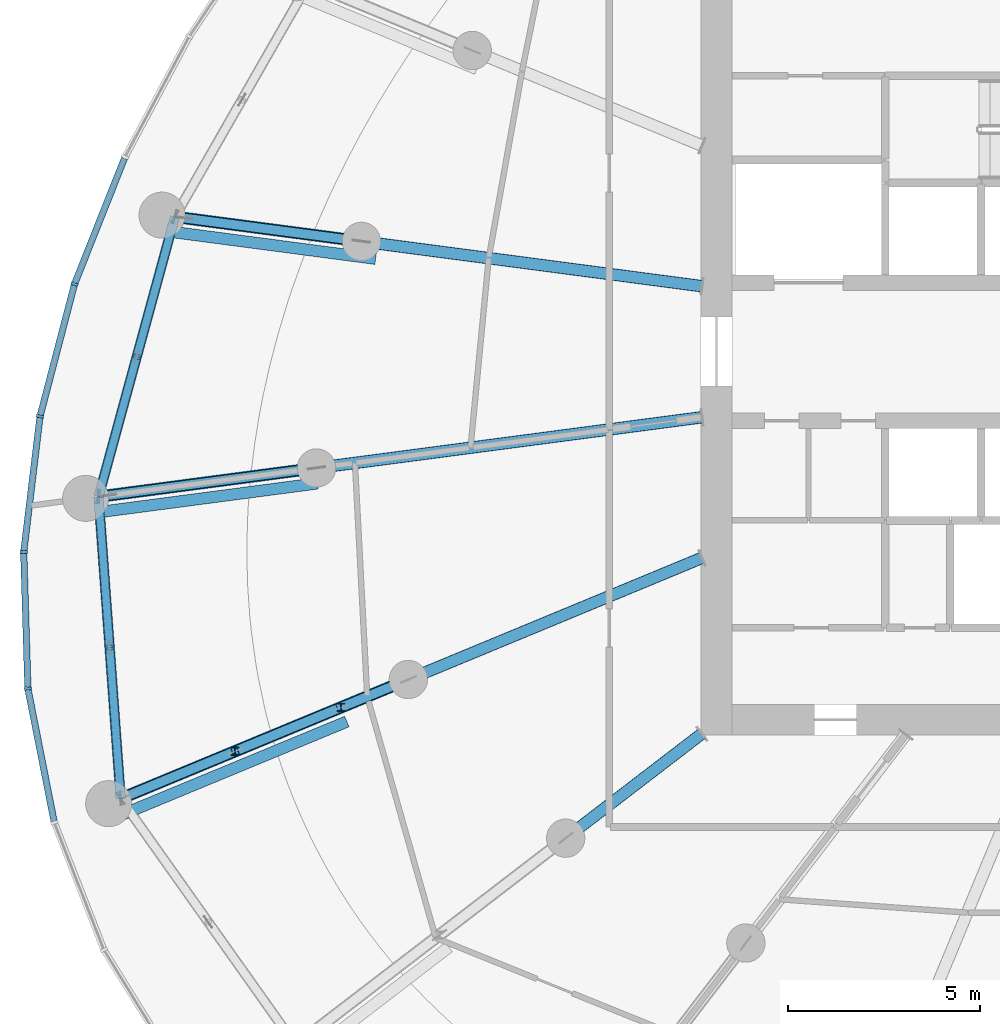
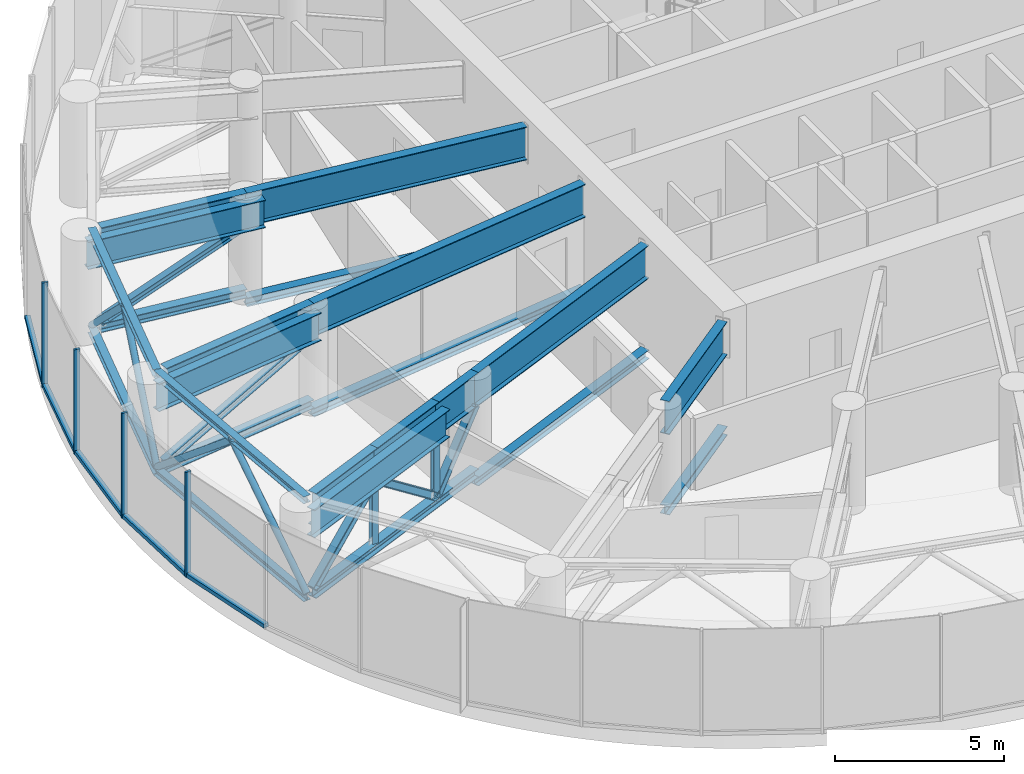
# One storey, part 4 of 33: 31 members, 12 beams, 1 element without a shape of its own.
"""IFC4 building model written with IfcOpenShell, lengths in metres."""

from ifc_helpers import new_model, si_unit, direction, frame, origin, origin_2d, place, context, subcontext, project, spatial, rectangle, hollow_circle, i_section, extrude, source, transform, mapped, material, layer, layer_set, material_profile, profile_set, type_object, element, aggregate, save


model = new_model("IFC4")

# Units and contexts
model_context = context("Model", 3, precision=1e-05, world=origin(), true_north=direction((0.0, 1.0)))
body_context = subcontext(model_context, "Body", "Model", "MODEL_VIEW")
ifc_project = project(units=[si_unit("LENGTHUNIT", "METRE"), si_unit("AREAUNIT", "SQUARE_METRE"), si_unit("VOLUMEUNIT", "CUBIC_METRE"), si_unit("PLANEANGLEUNIT", "RADIAN"), si_unit("MASSUNIT", "GRAM", prefix="KILO")], contexts=[model_context])

# Site, building, storey
site_placement = place(None, origin())
site = spatial("IfcSite", under=ifc_project, at=site_placement, CompositionType="ELEMENT")
building_placement = place(site_placement, origin())
building = spatial("IfcBuilding", under=site, at=building_placement, Name="Spindrift Exchange Tower", CompositionType="ELEMENT")
storey_placement = place(building_placement, frame((0.0, 0.0, 129.0)))
storey = spatial("IfcBuildingStorey", under=building, at=storey_placement, Name="L30", CompositionType="ELEMENT", Elevation=129.0)

# Beams
ifc_material_1 = material(Name="Steel Grade 300", Category="steel")
ifc_material_profile_1 = material_profile(ifc_material_1, i_section(OverallWidth=0.300048828125, OverallDepth=1.199951171875, WebThickness=0.011962890625, FlangeThickness=0.028076171875, at=origin_2d()), Name="1200WB249")
ifc_profile_set_1 = profile_set([ifc_material_profile_1], Name="Steel Grade 300")
beam_type_1 = type_object("IfcBeamType", Name="Outrigger Truss Transfer Girder 1200WB249 Steel Grade 300", PredefinedType="BEAM", material=ifc_profile_set_1)
shared_shape_1 = source(origin(), body_context, "Body", "SweptSolid", [
    extrude(i_section(OverallWidth=0.300048828125, OverallDepth=1.199951171875, WebThickness=0.011962890625, FlangeThickness=0.028076171875, at=origin_2d()), origin(), (0.0, 0.0, 1.0), 10.140380859375),
])
beam_1_placement = place(storey_placement, frame((39.019775390625, 46.291015625, 3.179931640625), z_axis=(-0.991446262895, -0.130515546167, 0.0), x_axis=(0.130515546167, -0.991446262895, 0.0)))
element("IfcBeam", 1, at=beam_1_placement, inside=storey, type_object=beam_type_1, Name="L30 outrigger truss 13 top chord 1", PredefinedType="BEAM", context=body_context, shape_type="MappedRepresentation", body=[
    mapped(shared_shape_1, transform((0.0, 0.0, 0.0), scale=1.0)),
])
shared_shape_2 = source(origin(), body_context, "Body", "SweptSolid", [
    extrude(i_section(OverallWidth=0.300048828125, OverallDepth=1.199951171875, WebThickness=0.011962890625, FlangeThickness=0.028076171875, at=origin_2d()), origin(), (0.0, 0.0, 1.0), 8.288818359375),
])
beam_2_placement = place(storey_placement, frame((39.0185546875, 42.622802734375, 3.179931640625), z_axis=(-0.923886163861, -0.382667422478, 0.0), x_axis=(0.382667422478, -0.923886163861, 0.0)))
element("IfcBeam", 2, at=beam_2_placement, inside=storey, type_object=beam_type_1, Name="L30 outrigger truss 14 top chord 1", PredefinedType="BEAM", context=body_context, shape_type="MappedRepresentation", body=[
    mapped(shared_shape_2, transform((0.0, 0.0, 0.0), scale=1.0)),
])
shared_shape_3 = source(origin(), body_context, "Body", "SweptSolid", [
    extrude(i_section(OverallWidth=0.300048828125, OverallDepth=1.199951171875, WebThickness=0.011962890625, FlangeThickness=0.028076171875, at=origin_2d()), origin(), (0.0, 0.0, 1.0), 4.4755859375),
])
beam_3_placement = place(storey_placement, frame((39.015869140625, 38.036865234375, 3.179931640625), z_axis=(-0.793379783148, -0.608726966457, 0.0), x_axis=(0.608726966457, -0.793379783148, 0.0)))
element("IfcBeam", 3, at=beam_3_placement, inside=storey, type_object=beam_type_1, Name="L30 outrigger truss 15 top chord 1", PredefinedType="BEAM", context=body_context, shape_type="MappedRepresentation", body=[
    mapped(shared_shape_3, transform((0.0, 0.0, 0.0), scale=1.0)),
])
shared_shape_4 = source(origin(), body_context, "Body", "SweptSolid", [
    extrude(i_section(OverallWidth=0.300048828125, OverallDepth=1.199951171875, WebThickness=0.011962890625, FlangeThickness=0.028076171875, at=origin_2d()), origin(), (0.0, 0.0, 1.0), 8.959716796875),
])
beam_4_placement = place(storey_placement, frame((39.019775390625, 49.708984375, 3.179931640625), z_axis=(-0.991445482422, 0.130521474806, 0.0), x_axis=(-0.130521474806, -0.991445482422, 0.0)))
element("IfcBeam", 4, at=beam_4_placement, inside=storey, type_object=beam_type_1, Name="L30 outrigger truss 12 top chord 1", PredefinedType="BEAM", context=body_context, shape_type="MappedRepresentation", body=[
    mapped(shared_shape_4, transform((0.0, 0.0, 0.0), scale=1.0)),
])

# Member
ifc_material_profile_2 = material_profile(ifc_material_1, i_section(OverallWidth=0.30908203125, OverallDepth=0.321044921875, WebThickness=0.013916015625, FlangeThickness=0.021728515625, FilletRadius=0.0166015625, at=origin_2d()), Name="310UC137")
ifc_profile_set_2 = profile_set([ifc_material_profile_2], Name="Steel Grade 300")
member_type_1 = type_object("IfcMemberType", Name="Outrigger Truss Chord 310UC137 Steel Grade 300", PredefinedType="CHORD", material=ifc_profile_set_2)
shared_shape_5 = source(origin(), body_context, "Body", "SweptSolid", [
    extrude(i_section(OverallWidth=0.30908203125, OverallDepth=0.321044921875, WebThickness=0.013916015625, FlangeThickness=0.021728515625, FilletRadius=0.0166015625, at=origin_2d()), origin(), (0.0, 0.0, 1.0), 10.140380859375),
])
member_1_placement = place(storey_placement, frame((39.019775390625, 46.291015625, -0.160400390625), z_axis=(-0.991446262895, -0.130515546167, 0.0), x_axis=(0.130515546167, -0.991446262895, 0.0)))
element("IfcMember", 5, at=member_1_placement, inside=storey, type_object=member_type_1, Name="L30 outrigger truss 13 bottom chord 1", PredefinedType="CHORD", context=body_context, shape_type="MappedRepresentation", body=[
    mapped(shared_shape_5, transform((0.0, 0.0, 0.0), scale=1.0)),
])

# Beam
shared_shape_6 = source(origin(), body_context, "Body", "SweptSolid", [
    extrude(i_section(OverallWidth=0.300048828125, OverallDepth=1.199951171875, WebThickness=0.011962890625, FlangeThickness=0.028076171875, at=origin_2d()), origin(), (0.0, 0.0, 1.0), 5.494140625),
])
beam_5_placement = place(storey_placement, frame((28.966064453125, 44.967529296875, 3.179931640625), z_axis=(-0.991447336889, -0.130507387435, 0.0), x_axis=(0.130507387435, -0.991447336889, 0.0)))
element("IfcBeam", 6, at=beam_5_placement, inside=storey, type_object=beam_type_1, Name="L30 outrigger truss 13 top chord 2", PredefinedType="BEAM", context=body_context, shape_type="MappedRepresentation", body=[
    mapped(shared_shape_6, transform((0.0, 0.0, 0.0), scale=1.0)),
])

# Members
shared_shape_7 = source(origin(), body_context, "Body", "SweptSolid", [
    extrude(i_section(OverallWidth=0.30908203125, OverallDepth=0.321044921875, WebThickness=0.013916015625, FlangeThickness=0.021728515625, FilletRadius=0.0166015625, at=origin_2d()), origin(), (0.0, 0.0, 1.0), 5.494140625),
])
member_2_placement = place(storey_placement, frame((28.966064453125, 44.967529296875, 0.160400390625), z_axis=(-0.991447336889, -0.130507387435, 0.0), x_axis=(0.130507387435, -0.991447336889, 0.0)))
element("IfcMember", 7, at=member_2_placement, inside=storey, type_object=member_type_1, Name="L30 outrigger truss 13 bottom chord 2", PredefinedType="CHORD", context=body_context, shape_type="MappedRepresentation", body=[
    mapped(shared_shape_7, transform((0.0, 0.0, 0.0), scale=1.0)),
])
ifc_material_profile_3 = material_profile(ifc_material_1, i_section(OverallWidth=0.25390625, OverallDepth=0.25390625, WebThickness=0.008544921875, FlangeThickness=0.01416015625, FilletRadius=0.011962890625, at=origin_2d()), Name="250UC72.9")
ifc_profile_set_3 = profile_set([ifc_material_profile_3], Name="Steel Grade 300")
member_type_2 = type_object("IfcMemberType", Name="Outrigger Truss Diagonal 250UC72.9 Steel Grade 300", PredefinedType="BRACE", material=ifc_profile_set_3)
shared_shape_8 = source(origin(), body_context, "Body", "SweptSolid", [
    extrude(i_section(OverallWidth=0.25390625, OverallDepth=0.25390625, WebThickness=0.008544921875, FlangeThickness=0.01416015625, FilletRadius=0.011962890625, at=origin_2d()), origin(), (0.0, 0.0, 1.0), 5.9404296875),
])
member_3_placement = place(storey_placement, frame((28.966064453125, 44.967529296875, 2.580078125), z_axis=(-0.916963865456, -0.120702889604, -0.380273693397), x_axis=(0.130507387435, -0.991447336889, 0.0)))
element("IfcMember", 8, at=member_3_placement, inside=storey, type_object=member_type_2, Name="L30 outrigger truss 13 diagonal 2", PredefinedType="BRACE", context=body_context, shape_type="MappedRepresentation", body=[
    mapped(shared_shape_8, transform((0.0, 0.0, 0.0), scale=1.0)),
])
shared_shape_9 = source(origin(), body_context, "Body", "SweptSolid", [
    extrude(i_section(OverallWidth=0.30908203125, OverallDepth=0.321044921875, WebThickness=0.013916015625, FlangeThickness=0.021728515625, FilletRadius=0.0166015625, at=origin_2d()), origin(), (0.0, 0.0, 1.0), 8.288818359375),
])
member_4_placement = place(storey_placement, frame((39.0185546875, 42.622802734375, -0.160400390625), z_axis=(-0.923886163861, -0.382667422478, 0.0), x_axis=(0.382667422478, -0.923886163861, 0.0)))
element("IfcMember", 9, at=member_4_placement, inside=storey, type_object=member_type_1, Name="L30 outrigger truss 14 bottom chord 1", PredefinedType="CHORD", context=body_context, shape_type="MappedRepresentation", body=[
    mapped(shared_shape_9, transform((0.0, 0.0, 0.0), scale=1.0)),
])

# Beam
shared_shape_10 = source(origin(), body_context, "Body", "SweptSolid", [
    extrude(i_section(OverallWidth=0.300048828125, OverallDepth=1.199951171875, WebThickness=0.011962890625, FlangeThickness=0.028076171875, at=origin_2d()), origin(), (0.0, 0.0, 1.0), 1.902099609375),
])
beam_6_placement = place(storey_placement, frame((31.360595703125, 39.450927734375, 3.179931640625), z_axis=(-0.923857260283, -0.382737197856, 0.0), x_axis=(0.382737197856, -0.923857260283, 0.0)))
element("IfcBeam", 10, at=beam_6_placement, inside=storey, type_object=beam_type_1, Name="L30 outrigger truss 14 top chord 2", PredefinedType="BEAM", context=body_context, shape_type="MappedRepresentation", body=[
    mapped(shared_shape_10, transform((0.0, 0.0, 0.0), scale=1.0)),
])

# Members
shared_shape_11 = source(origin(), body_context, "Body", "SweptSolid", [
    extrude(i_section(OverallWidth=0.30908203125, OverallDepth=0.321044921875, WebThickness=0.013916015625, FlangeThickness=0.021728515625, FilletRadius=0.0166015625, at=origin_2d()), origin(), (0.0, 0.0, 1.0), 7.880126953125),
])
member_5_placement = place(storey_placement, frame((31.360595703125, 39.450927734375, 0.160400390625), z_axis=(-0.923877872246, -0.382687440576, 0.0), x_axis=(0.382687440576, -0.923877872246, 0.0)))
element("IfcMember", 11, at=member_5_placement, inside=storey, type_object=member_type_1, Name="L30 outrigger truss 14 bottom chord 2", PredefinedType="CHORD", context=body_context, shape_type="MappedRepresentation", body=[
    mapped(shared_shape_11, transform((0.0, 0.0, 0.0), scale=1.0)),
])
shared_shape_12 = source(origin(), body_context, "Body", "SweptSolid", [
    extrude(i_section(OverallWidth=0.25390625, OverallDepth=0.25390625, WebThickness=0.008544921875, FlangeThickness=0.01416015625, FilletRadius=0.011962890625, at=origin_2d()), origin(), (0.0, 0.0, 1.0), 2.953125),
])
member_6_placement = place(storey_placement, frame((31.360595703125, 39.450927734375, 2.580078125), z_axis=(-0.59505583081, -0.246520767918, -0.764941873088), x_axis=(0.382737197856, -0.923857260283, 0.0)))
element("IfcMember", 12, at=member_6_placement, inside=storey, type_object=member_type_2, Name="L30 outrigger truss 14 diagonal 2", PredefinedType="BRACE", context=body_context, shape_type="MappedRepresentation", body=[
    mapped(shared_shape_12, transform((0.0, 0.0, 0.0), scale=1.0)),
])

# Beams
shared_shape_13 = source(origin(), body_context, "Body", "SweptSolid", [
    extrude(i_section(OverallWidth=0.300048828125, OverallDepth=1.199951171875, WebThickness=0.011962890625, FlangeThickness=0.028076171875, at=origin_2d()), origin(), (0.0, 0.0, 1.0), 2.989013671875),
])
for number, where, z_axis, x_axis, name in (
    (13, (29.603271484375, 38.722900390625, 3.179931640625), (-0.923884430311, -0.382671607816, 0.0), (0.382671607816, -0.923884430311, 0.0), "L30 outrigger truss 14 top chord 3"),
    (14, (26.841796875, 37.5791015625, 3.179931640625), (-0.923884430311, -0.382671607816, 0.0), (0.382671607816, -0.923884430311, 0.0), "L30 outrigger truss 14 top chord 4"),
):
    element("IfcBeam", number, at=place(storey_placement, frame(where, z_axis=z_axis, x_axis=x_axis)), inside=storey, type_object=beam_type_1, Name=name, PredefinedType="BEAM", context=body_context, shape_type="MappedRepresentation", body=[
        mapped(shared_shape_13, transform((0.0, 0.0, 0.0), scale=1.0)),
    ])

# Members
shared_shape_14 = source(origin(), body_context, "Body", "SweptSolid", [
    extrude(i_section(OverallWidth=0.25390625, OverallDepth=0.25390625, WebThickness=0.008544921875, FlangeThickness=0.01416015625, FilletRadius=0.011962890625, at=origin_2d()), origin(), (0.0, 0.0, 1.0), 3.74658203125),
])
for number, where, z_axis, x_axis, name in (
    (15, (29.603271484375, 38.722900390625, 0.321044921875), (-0.737055270043, -0.305287237216, 0.602950438839), (0.382671607816, -0.923884430311, 0.0), "L30 outrigger truss 14 diagonal 3"),
    (16, (26.841796875, 37.5791015625, 2.580078125), (-0.737055270043, -0.305287237216, -0.602950438839), (0.382671607816, -0.923884430311, 0.0), "L30 outrigger truss 14 diagonal 4"),
):
    element("IfcMember", number, at=place(storey_placement, frame(where, z_axis=z_axis, x_axis=x_axis)), inside=storey, type_object=member_type_2, Name=name, PredefinedType="BRACE", context=body_context, shape_type="MappedRepresentation", body=[
        mapped(shared_shape_14, transform((0.0, 0.0, 0.0), scale=1.0)),
    ])
ifc_material_profile_4 = material_profile(ifc_material_1, i_section(OverallWidth=0.202880859375, OverallDepth=0.202880859375, WebThickness=0.00732421875, FlangeThickness=0.010986328125, FilletRadius=0.012939453125, at=origin_2d()), Name="200UC46.2")
ifc_profile_set_4 = profile_set([ifc_material_profile_4], Name="Steel Grade 300")
member_type_3 = type_object("IfcMemberType", Name="Outrigger Truss Post 200UC46.2 Steel Grade 300", PredefinedType="POST", material=ifc_profile_set_4)
shared_shape_15 = source(origin(), body_context, "Body", "SweptSolid", [
    extrude(i_section(OverallWidth=0.202880859375, OverallDepth=0.202880859375, WebThickness=0.00732421875, FlangeThickness=0.010986328125, FilletRadius=0.012939453125, at=origin_2d()), origin(), (0.0, 0.0, 1.0), 2.259033203125),
])
for number, where, z_axis, x_axis, name in (
    (17, (29.603271484375, 38.722900390625, 0.321044921875), (0.0, 0.0, 1.0), (1.0, 0.0, 0.0), "L30 outrigger truss 14 post 2"),
    (18, (26.841796875, 37.5791015625, 0.321044921875), (0.0, 0.0, 1.0), (1.0, 0.0, 0.0), "L30 outrigger truss 14 post 3"),
):
    element("IfcMember", number, at=place(storey_placement, frame(where, z_axis=z_axis, x_axis=x_axis)), inside=storey, type_object=member_type_3, Name=name, PredefinedType="POST", context=body_context, shape_type="MappedRepresentation", body=[
        mapped(shared_shape_15, transform((0.0, 0.0, 0.0), scale=1.0)),
    ])
shared_shape_16 = source(origin(), body_context, "Body", "SweptSolid", [
    extrude(i_section(OverallWidth=0.30908203125, OverallDepth=0.321044921875, WebThickness=0.013916015625, FlangeThickness=0.021728515625, FilletRadius=0.0166015625, at=origin_2d()), origin(), (0.0, 0.0, 1.0), 4.4755859375),
])
member_7_placement = place(storey_placement, frame((39.015869140625, 38.036865234375, -0.160400390625), z_axis=(-0.793379783148, -0.608726966457, 0.0), x_axis=(0.608726966457, -0.793379783148, 0.0)))
element("IfcMember", 19, at=member_7_placement, inside=storey, type_object=member_type_1, Name="L30 outrigger truss 15 bottom chord 1", PredefinedType="CHORD", context=body_context, shape_type="MappedRepresentation", body=[
    mapped(shared_shape_16, transform((0.0, 0.0, 0.0), scale=1.0)),
])
shared_shape_17 = source(origin(), body_context, "Body", "SweptSolid", [
    extrude(i_section(OverallWidth=0.30908203125, OverallDepth=0.321044921875, WebThickness=0.013916015625, FlangeThickness=0.021728515625, FilletRadius=0.0166015625, at=origin_2d()), origin(), (0.0, 0.0, 1.0), 8.959716796875),
])
member_8_placement = place(storey_placement, frame((39.019775390625, 49.708984375, -0.160400390625), z_axis=(-0.991445482422, 0.130521474806, 0.0), x_axis=(-0.130521474806, -0.991445482422, 0.0)))
element("IfcMember", 20, at=member_8_placement, inside=storey, type_object=member_type_1, Name="L30 outrigger truss 12 bottom chord 1", PredefinedType="CHORD", context=body_context, shape_type="MappedRepresentation", body=[
    mapped(shared_shape_17, transform((0.0, 0.0, 0.0), scale=1.0)),
])

# Beam
shared_shape_18 = source(origin(), body_context, "Body", "SweptSolid", [
    extrude(i_section(OverallWidth=0.300048828125, OverallDepth=1.199951171875, WebThickness=0.011962890625, FlangeThickness=0.028076171875, at=origin_2d()), origin(), (0.0, 0.0, 1.0), 4.666015625),
])
beam_7_placement = place(storey_placement, frame((30.13671875, 50.87841796875, 3.179931640625), z_axis=(-0.991449486517, 0.130491055959, 0.0), x_axis=(-0.130491055959, -0.991449486517, 0.0)))
element("IfcBeam", 21, at=beam_7_placement, inside=storey, type_object=beam_type_1, Name="L30 outrigger truss 12 top chord 2", PredefinedType="BEAM", context=body_context, shape_type="MappedRepresentation", body=[
    mapped(shared_shape_18, transform((0.0, 0.0, 0.0), scale=1.0)),
])

# Members
shared_shape_19 = source(origin(), body_context, "Body", "SweptSolid", [
    extrude(i_section(OverallWidth=0.30908203125, OverallDepth=0.321044921875, WebThickness=0.013916015625, FlangeThickness=0.021728515625, FilletRadius=0.0166015625, at=origin_2d()), origin(), (0.0, 0.0, 1.0), 4.666015625),
])
member_9_placement = place(storey_placement, frame((30.13671875, 50.87841796875, 0.160400390625), z_axis=(-0.991449486517, 0.130491055959, 0.0), x_axis=(-0.130491055959, -0.991449486517, 0.0)))
element("IfcMember", 22, at=member_9_placement, inside=storey, type_object=member_type_1, Name="L30 outrigger truss 12 bottom chord 2", PredefinedType="CHORD", context=body_context, shape_type="MappedRepresentation", body=[
    mapped(shared_shape_19, transform((0.0, 0.0, 0.0), scale=1.0)),
])
shared_shape_20 = source(origin(), body_context, "Body", "SweptSolid", [
    extrude(i_section(OverallWidth=0.25390625, OverallDepth=0.25390625, WebThickness=0.008544921875, FlangeThickness=0.01416015625, FilletRadius=0.011962890625, at=origin_2d()), origin(), (0.0, 0.0, 1.0), 5.18408203125),
])
member_10_placement = place(storey_placement, frame((30.13671875, 50.87841796875, 2.580078125), z_axis=(-0.892369881361, 0.117450550642, -0.435753787125), x_axis=(-0.130491055959, -0.991449486517, 0.0)))
element("IfcMember", 23, at=member_10_placement, inside=storey, type_object=member_type_2, Name="L30 outrigger truss 12 diagonal 2", PredefinedType="BRACE", context=body_context, shape_type="MappedRepresentation", body=[
    mapped(shared_shape_20, transform((0.0, 0.0, 0.0), scale=1.0)),
])
ifc_material_profile_5 = material_profile(ifc_material_1, i_section(OverallWidth=0.25390625, OverallDepth=0.25390625, WebThickness=0.008544921875, FlangeThickness=0.01416015625, FilletRadius=0.011962890625, at=origin_2d()), Name="250UC72.9")
ifc_profile_set_5 = profile_set([ifc_material_profile_5], Name="Steel Grade 300")
member_type_4 = type_object("IfcMemberType", Name="Belt Truss Chord 250UC72.9 Steel Grade 300", PredefinedType="CHORD", material=ifc_profile_set_5)
shared_shape_21 = source(origin(), body_context, "Body", "SweptSolid", [
    extrude(i_section(OverallWidth=0.25390625, OverallDepth=0.25390625, WebThickness=0.008544921875, FlangeThickness=0.01416015625, FilletRadius=0.011962890625, at=origin_2d()), origin(), (0.0, 0.0, 1.0), 7.896728515625),
])
for number, where, z_axis, x_axis, name in (
    (24, (23.28076171875, 44.218994140625, 3.653076171875), (0.07318040206, -0.997318719745, 0.0), (0.997318719745, 0.07318040206, 0.0), "L30 belt truss 13 top chord"),
    (25, (23.28076171875, 44.218994140625, 0.126953125), (0.07318040206, -0.997318719745, 0.0), (0.997318719745, 0.07318040206, 0.0), "L30 belt truss 13 bottom chord"),
):
    element("IfcMember", number, at=place(storey_placement, frame(where, z_axis=z_axis, x_axis=x_axis)), inside=storey, type_object=member_type_4, Name=name, PredefinedType="CHORD", context=body_context, shape_type="MappedRepresentation", body=[
        mapped(shared_shape_21, transform((0.0, 0.0, 0.0), scale=1.0)),
    ])
ifc_material_2 = material(Name="Steel Grade 350", Category="steel")
ifc_material_profile_6 = material_profile(ifc_material_2, hollow_circle(Radius=0.109619140625, WallThickness=0.006103515625, at=origin_2d()), Name="219.1x6.0CHS")
ifc_profile_set_6 = profile_set([ifc_material_profile_6], Name="Steel Grade 350")
member_type_5 = type_object("IfcMemberType", Name="Belt Truss Diagonal 219.1x6.0CHS Steel Grade 350", PredefinedType="BRACE", material=ifc_profile_set_6)
shared_shape_22 = source(origin(), body_context, "Body", "SweptSolid", [
    extrude(hollow_circle(Radius=0.109619140625, WallThickness=0.006103515625, at=origin_2d()), origin(), (0.0, 0.0, 1.0), 5.1279296875),
])
for number, where, z_axis, x_axis, name in (
    (26, (23.28076171875, 44.218994140625, 0.25390625), (0.056323261566, -0.767910300755, 0.638076374897), (0.997320975724, 0.073149650585, 0.0), "L30 belt truss 13 diagonal 1"),
    (27, (23.569580078125, 40.28125, 3.52587890625), (0.056370720873, -0.767908240679, -0.638074663127), (0.997316462828, 0.073211153326, 0.0), "L30 belt truss 13 diagonal 2"),
):
    element("IfcMember", number, at=place(storey_placement, frame(where, z_axis=z_axis, x_axis=x_axis)), inside=storey, type_object=member_type_5, Name=name, PredefinedType="BRACE", context=body_context, shape_type="MappedRepresentation", body=[
        mapped(shared_shape_22, transform((0.0, 0.0, 0.0), scale=1.0)),
    ])
shared_shape_23 = source(origin(), body_context, "Body", "SweptSolid", [
    extrude(i_section(OverallWidth=0.25390625, OverallDepth=0.25390625, WebThickness=0.008544921875, FlangeThickness=0.01416015625, FilletRadius=0.011962890625, at=origin_2d()), origin(), (0.0, 0.0, 1.0), 7.566650390625),
])
for number, where, z_axis, x_axis, name in (
    (28, (25.272705078125, 51.518798828125, 3.653076171875), (-0.263251179447, -0.964727327549, 0.0), (0.964727327549, -0.263251179447, 0.0), "L30 belt truss 12 top chord"),
    (29, (25.272705078125, 51.518798828125, 0.126953125), (-0.263251179447, -0.964727327549, 0.0), (0.964727327549, -0.263251179447, 0.0), "L30 belt truss 12 bottom chord"),
):
    element("IfcMember", number, at=place(storey_placement, frame(where, z_axis=z_axis, x_axis=x_axis)), inside=storey, type_object=member_type_4, Name=name, PredefinedType="CHORD", context=body_context, shape_type="MappedRepresentation", body=[
        mapped(shared_shape_23, transform((0.0, 0.0, 0.0), scale=1.0)),
    ])
shared_shape_24 = source(origin(), body_context, "Body", "SweptSolid", [
    extrude(hollow_circle(Radius=0.109619140625, WallThickness=0.006103515625, at=origin_2d()), origin(), (0.0, 0.0, 1.0), 5.001953125),
])
for number, where, z_axis, x_axis, name in (
    (30, (25.272705078125, 51.518798828125, 0.25390625), (-0.199139926338, -0.729691641853, 0.654135610977), (0.964719132918, -0.263281208181, 0.0), "L30 belt truss 12 diagonal 1"),
    (31, (24.276611328125, 47.868896484375, 3.52587890625), (-0.199093052446, -0.72969873353, -0.654141968346), (0.964735521384, -0.263221149948, 0.0), "L30 belt truss 12 diagonal 2"),
):
    element("IfcMember", number, at=place(storey_placement, frame(where, z_axis=z_axis, x_axis=x_axis)), inside=storey, type_object=member_type_5, Name=name, PredefinedType="BRACE", context=body_context, shape_type="MappedRepresentation", body=[
        mapped(shared_shape_24, transform((0.0, 0.0, 0.0), scale=1.0)),
    ])

# Beams
ifc_material_profile_7 = material_profile(ifc_material_1, i_section(OverallWidth=0.300048828125, OverallDepth=1.0, WebThickness=0.010009765625, FlangeThickness=0.02001953125, at=origin_2d()), Name="1000WB215")
ifc_profile_set_7 = profile_set([ifc_material_profile_7], Name="Steel Grade 300")
beam_type_2 = type_object("IfcBeamType", Name="Transfer Tie Beam 1000WB215 Steel Grade 300", PredefinedType="BEAM", material=ifc_profile_set_7)
shared_shape_25 = source(origin(), body_context, "Body", "SweptSolid", [
    extrude(i_section(OverallWidth=0.300048828125, OverallDepth=1.0, WebThickness=0.010009765625, FlangeThickness=0.02001953125, at=origin_2d()), origin(), (0.0, 0.0, 1.0), 6.046142578125),
])
beam_8_placement = place(storey_placement, frame((22.995849609375, 43.778076171875, 3.179931640625), z_axis=(0.991447284669, 0.130507784143, 0.0), x_axis=(-0.130507784143, 0.991447284669, 0.0)))
element("IfcBeam", 32, at=beam_8_placement, inside=storey, type_object=beam_type_2, Name="L30 transfer tie beam K13", PredefinedType="BEAM", context=body_context, shape_type="MappedRepresentation", body=[
    mapped(shared_shape_25, transform((0.0, 0.0, 0.0), scale=1.0)),
])
shared_shape_26 = source(origin(), body_context, "Body", "SweptSolid", [
    extrude(i_section(OverallWidth=0.300048828125, OverallDepth=1.0, WebThickness=0.010009765625, FlangeThickness=0.02001953125, at=origin_2d()), origin(), (0.0, 0.0, 1.0), 6.55810546875),
])
beam_9_placement = place(storey_placement, frame((23.697509765625, 35.84375, 3.179931640625), z_axis=(0.923873451305, 0.382698113366, 0.0), x_axis=(-0.382698113366, 0.923873451305, 0.0)))
element("IfcBeam", 33, at=beam_9_placement, inside=storey, type_object=beam_type_2, Name="L30 transfer tie beam K14", PredefinedType="BEAM", context=body_context, shape_type="MappedRepresentation", body=[
    mapped(shared_shape_26, transform((0.0, 0.0, 0.0), scale=1.0)),
])
shared_shape_27 = source(origin(), body_context, "Body", "SweptSolid", [
    extrude(i_section(OverallWidth=0.300048828125, OverallDepth=1.0, WebThickness=0.010009765625, FlangeThickness=0.02001953125, at=origin_2d()), origin(), (0.0, 0.0, 1.0), 5.672119140625),
])
beam_10_placement = place(storey_placement, frame((24.88330078125, 51.16650390625, 3.179931640625), z_axis=(0.991447555049, -0.130505730091, 0.0), x_axis=(0.130505730091, 0.991447555049, 0.0)))
element("IfcBeam", 34, at=beam_10_placement, inside=storey, type_object=beam_type_2, Name="L30 transfer tie beam K12", PredefinedType="BEAM", context=body_context, shape_type="MappedRepresentation", body=[
    mapped(shared_shape_27, transform((0.0, 0.0, 0.0), scale=1.0)),
])

# Curtain wall, members
ifc_material_3 = material(Name="Fritted laminated glass with bronze frame", Category="glass")
ifc_layer = layer(ifc_material_3, 0.18994140625)
ifc_layer_set = layer_set([ifc_layer], Name="ZONE 2 BRONZE FRITTED WALL")
curtain_wall_type = type_object("IfcCurtainWallType", Name="ZONE 2 BRONZE FRITTED WALL", PredefinedType="NOTDEFINED", material=ifc_layer_set)
curtain_wall_placement = place(storey_placement, origin())
curtain_wall = element("IfcCurtainWall", 35, at=curtain_wall_placement, inside=storey, type_object=curtain_wall_type, Name="L30 Zone 2 Bronze Fritted Wall run 4", PredefinedType="NOTDEFINED")
ifc_material_4 = material(Name="Bronze anodised aluminium", Category="aluminium")
ifc_material_profile_8 = material_profile(ifc_material_4, rectangle(XDim=0.169921875, YDim=0.139892578125, at=origin_2d()), Name="ZONE 2 BRONZE FRITTED WALL TRANSOM 170X140")
ifc_profile_set_8 = profile_set([ifc_material_profile_8], Name="Bronze anodised aluminium")
member_type_6 = type_object("IfcMemberType", Name="ZONE 2 BRONZE FRITTED WALL TRANSOM 170X140", PredefinedType="USERDEFINED", material=ifc_profile_set_8)
shared_shape_28 = source(origin(), body_context, "Body", "SweptSolid", [
    extrude(rectangle(XDim=0.169921875, YDim=0.139892578125, at=origin_2d()), origin(), (0.0, 0.0, 1.0), 3.490478515625),
])
member_11_placement = place(storey_placement, frame((23.955322265625, 53.04443359375, 0.070068359375), z_axis=(-0.369086256694, -0.929395144769, 0.0), x_axis=(0.929395144769, -0.369086256694, 0.0)))
member_11 = element("IfcMember", 36, at=member_11_placement, type_object=member_type_6, Name="L30 transom CW-2.20", ObjectType="TRANSOM", PredefinedType="USERDEFINED", context=body_context, shape_type="MappedRepresentation", body=[
    mapped(shared_shape_28, transform((0.0, 0.0, 0.0), scale=1.0)),
])
shared_shape_29 = source(origin(), body_context, "Body", "SweptSolid", [
    extrude(rectangle(XDim=0.169921875, YDim=0.139892578125, at=origin_2d()), origin(), (0.0, 0.0, 1.0), 3.489013671875),
])
member_12_placement = place(storey_placement, frame((21.329345703125, 42.73876953125, 0.070068359375), z_axis=(0.030369631167, -0.999538736369, 0.0), x_axis=(0.999538736369, 0.030369631167, 0.0)))
member_12 = element("IfcMember", 37, at=member_12_placement, type_object=member_type_6, Name="L30 transom CW-2.23", ObjectType="TRANSOM", PredefinedType="USERDEFINED", context=body_context, shape_type="MappedRepresentation", body=[
    mapped(shared_shape_29, transform((0.0, 0.0, 0.0), scale=1.0)),
])
shared_shape_30 = source(origin(), body_context, "Body", "SweptSolid", [
    extrude(rectangle(XDim=0.169921875, YDim=0.139892578125, at=origin_2d()), origin(), (0.0, 0.0, 1.0), 3.48828125),
])
member_13_placement = place(storey_placement, frame((21.443603515625, 39.177001953125, 0.070068359375), z_axis=(0.193450433554, -0.981110049769, 0.0), x_axis=(0.981110049769, 0.193450433554, 0.0)))
member_13 = element("IfcMember", 38, at=member_13_placement, type_object=member_type_6, Name="L30 transom CW-2.24", ObjectType="TRANSOM", PredefinedType="USERDEFINED", context=body_context, shape_type="MappedRepresentation", body=[
    mapped(shared_shape_30, transform((0.0, 0.0, 0.0), scale=1.0)),
])
shared_shape_31 = source(origin(), body_context, "Body", "SweptSolid", [
    extrude(rectangle(XDim=0.169921875, YDim=0.139892578125, at=origin_2d()), origin(), (0.0, 0.0, 1.0), 3.490234375),
])
member_14_placement = place(storey_placement, frame((22.643798828125, 49.72900390625, 0.070068359375), z_axis=(-0.252447524552, -0.967610586624, 0.0), x_axis=(0.967610586624, -0.252447524552, 0.0)))
member_14 = element("IfcMember", 39, at=member_14_placement, type_object=member_type_6, Name="L30 transom CW-2.21", ObjectType="TRANSOM", PredefinedType="USERDEFINED", context=body_context, shape_type="MappedRepresentation", body=[
    mapped(shared_shape_31, transform((0.0, 0.0, 0.0), scale=1.0)),
])
shared_shape_32 = source(origin(), body_context, "Body", "SweptSolid", [
    extrude(rectangle(XDim=0.169921875, YDim=0.139892578125, at=origin_2d()), origin(), (0.0, 0.0, 1.0), 3.48974609375),
])
member_15_placement = place(storey_placement, frame((21.748779296875, 46.2783203125, 0.070068359375), z_axis=(-0.119280392999, -0.992860608467, 0.0), x_axis=(0.992860608467, -0.119280392999, 0.0)))
member_15 = element("IfcMember", 40, at=member_15_placement, type_object=member_type_6, Name="L30 transom CW-2.22", ObjectType="TRANSOM", PredefinedType="USERDEFINED", context=body_context, shape_type="MappedRepresentation", body=[
    mapped(shared_shape_32, transform((0.0, 0.0, 0.0), scale=1.0)),
])
ifc_material_profile_9 = material_profile(ifc_material_4, rectangle(XDim=0.074951171875, YDim=0.18994140625, at=origin_2d()), Name="ZONE 2 BRONZE FRITTED WALL MULLION 75X190")
ifc_profile_set_9 = profile_set([ifc_material_profile_9], Name="Bronze anodised aluminium")
member_type_7 = type_object("IfcMemberType", Name="ZONE 2 BRONZE FRITTED WALL MULLION 75X190", PredefinedType="MULLION", material=ifc_profile_set_9)
shared_shape_33 = source(origin(), body_context, "Body", "SweptSolid", [
    extrude(rectangle(XDim=0.074951171875, YDim=0.18994140625, at=origin_2d()), origin(), (0.0, 0.0, 1.0), 3.780029296875),
])
member_16_placement = place(storey_placement, frame((22.6533203125, 49.765380859375, 0.0), z_axis=(0.0, 0.0, 1.0), x_axis=(-0.311326480719, -0.950303016097, 0.0)))
member_16 = element("IfcMember", 41, at=member_16_placement, type_object=member_type_7, Name="L30 mullion CW-2.21", PredefinedType="MULLION", context=body_context, shape_type="MappedRepresentation", body=[
    mapped(shared_shape_33, transform((0.0, 0.0, 0.0), scale=1.0)),
])
member_17_placement = place(storey_placement, frame((21.753173828125, 46.315673828125, 0.0), z_axis=(0.0, 0.0, 1.0), x_axis=(-0.186271855488, -0.982498242163, 0.0)))
member_17 = element("IfcMember", 42, at=member_17_placement, type_object=member_type_7, Name="L30 mullion CW-2.22", PredefinedType="MULLION", context=body_context, shape_type="MappedRepresentation", body=[
    mapped(shared_shape_33, transform((0.0, 0.0, 0.0), scale=1.0)),
])
member_18_placement = place(storey_placement, frame((21.328125, 42.7763671875, 0.0), z_axis=(0.0, 0.0, 1.0), x_axis=(-0.044557436808, -0.999006824213, 0.0)))
member_18 = element("IfcMember", 43, at=member_18_placement, type_object=member_type_7, Name="L30 mullion CW-2.23", PredefinedType="MULLION", context=body_context, shape_type="MappedRepresentation", body=[
    mapped(shared_shape_33, transform((0.0, 0.0, 0.0), scale=1.0)),
])
member_19_placement = place(storey_placement, frame((21.436279296875, 39.2138671875, 0.0), z_axis=(0.0, 0.0, 1.0), x_axis=(0.112291292007, -0.993675332158, 0.0)))
member_19 = element("IfcMember", 44, at=member_19_placement, type_object=member_type_7, Name="L30 mullion CW-2.24", PredefinedType="MULLION", context=body_context, shape_type="MappedRepresentation", body=[
    mapped(shared_shape_33, transform((0.0, 0.0, 0.0), scale=1.0)),
])
aggregate(curtain_wall, [member_11, member_16, member_14, member_17, member_15, member_18, member_12, member_19, member_13])

save(model, "model.ifc")
